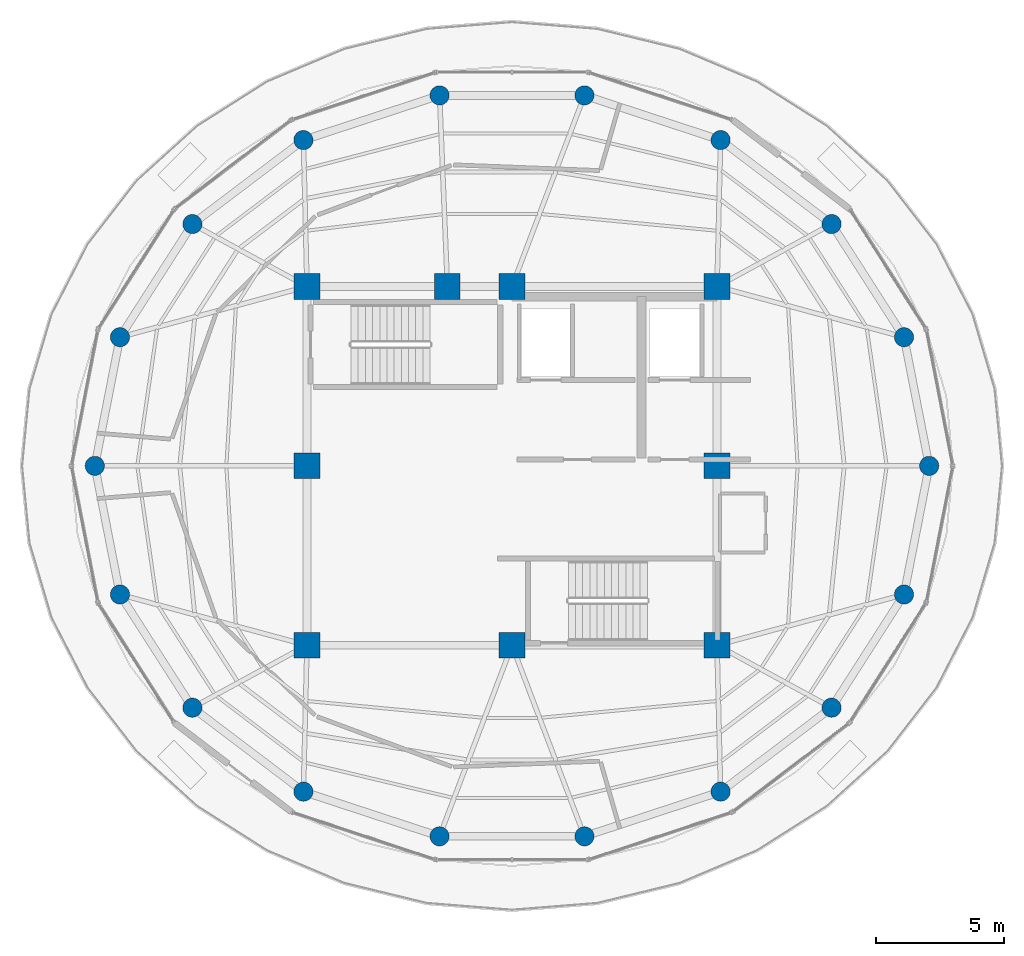
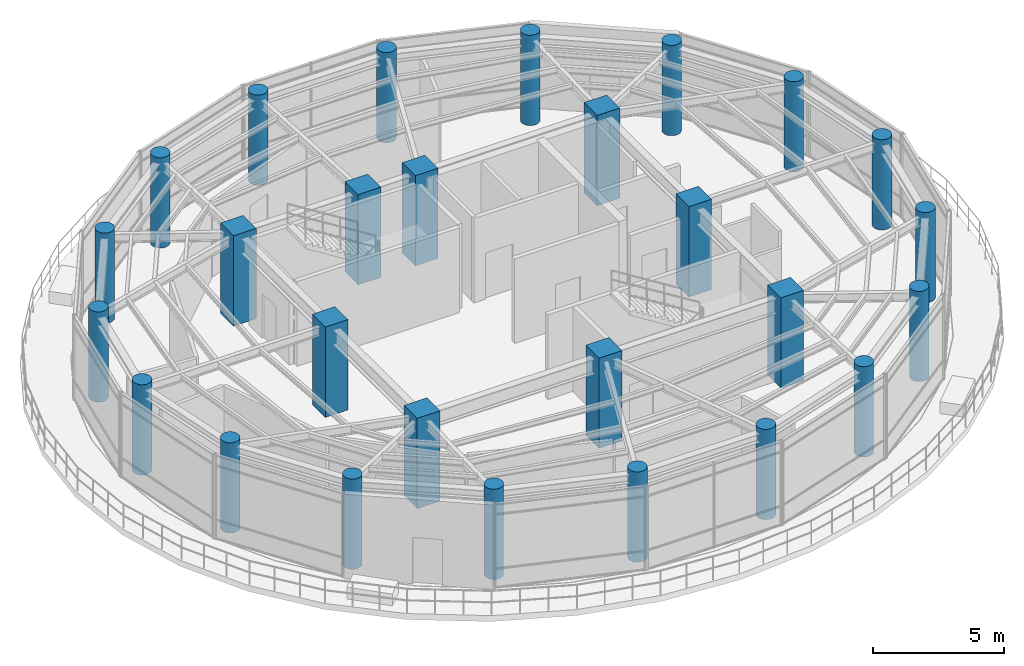
# One storey, part 1 of 20: 27 columns.
"""IFC4 building model written with IfcOpenShell, lengths in metres."""

from ifc_helpers import new_model, si_unit, direction, frame, origin, origin_2d, place, context, subcontext, project, spatial, rectangle, circle, extrude, material, material_profile, profile_set, type_object, element, save


model = new_model("IFC4")

# Units and contexts
model_context = context("Model", 3, precision=1e-05, world=origin(), true_north=direction((0.0, 1.0)))
body_context = subcontext(model_context, "Body", "Model", "MODEL_VIEW")
ifc_project = project(units=[si_unit("LENGTHUNIT", "METRE"), si_unit("AREAUNIT", "SQUARE_METRE"), si_unit("VOLUMEUNIT", "CUBIC_METRE"), si_unit("PLANEANGLEUNIT", "RADIAN"), si_unit("MASSUNIT", "GRAM", prefix="KILO")], contexts=[model_context])

# Site, building, storey
site_placement = place(None, origin())
site = spatial("IfcSite", under=ifc_project, at=site_placement, CompositionType="ELEMENT")
building_placement = place(site_placement, origin())
building = spatial("IfcBuilding", under=site, at=building_placement, Name="Kelanora Arch Commons", CompositionType="ELEMENT")
storey_placement = place(building_placement, frame((0.0, 0.0, 298.5)))
storey = spatial("IfcBuildingStorey", under=building, at=storey_placement, Name="L76", CompositionType="ELEMENT", Elevation=298.5)

# Columns
ifc_material = material(Name="Concrete C50/60", Category="concrete")
ifc_material_profile_1 = material_profile(ifc_material, circle(Radius=0.375, at=origin_2d()), Name="RCC750")
ifc_profile_set_1 = profile_set([ifc_material_profile_1], Name="Concrete C50/60")
column_type_1 = type_object("IfcColumnType", Name="COL-PERIM-Z6", PredefinedType="COLUMN", material=ifc_profile_set_1)
for number, where, z_axis, x_axis, name in (
    (1, (90.280029296875, 58.0, 0.0), (0.0, 0.0, 1.0), (1.0, 0.0, 0.0), "Perimeter Ring Column CP-00 L76"),
    (2, (89.298095703125, 63.02099609375, 0.0), (0.0, 0.0, 1.0), (1.0, 0.0, 0.0), "Perimeter Ring Column CP-02 L76"),
    (3, (86.47119140625, 67.43603515625, 0.0), (0.0, 0.0, 1.0), (1.0, 0.0, 0.0), "Perimeter Ring Column CP-04 L76"),
    (4, (82.139892578125, 70.71337890625, 0.0), (0.0, 0.0, 1.0), (1.0, 0.0, 0.0), "Perimeter Ring Column CP-06 L76"),
    (5, (76.826904296875, 72.45703125, 0.0), (0.0, 0.0, 1.0), (1.0, 0.0, 0.0), "Perimeter Ring Column CP-08 L76"),
    (6, (71.173095703125, 72.45703125, 0.0), (0.0, 0.0, 1.0), (1.0, 0.0, 0.0), "Perimeter Ring Column CP-10 L76"),
    (7, (65.860107421875, 70.71337890625, 0.0), (0.0, 0.0, 1.0), (1.0, 0.0, 0.0), "Perimeter Ring Column CP-12 L76"),
    (8, (61.52880859375, 67.43603515625, 0.0), (0.0, 0.0, 1.0), (1.0, 0.0, 0.0), "Perimeter Ring Column CP-14 L76"),
    (9, (58.701904296875, 63.02099609375, 0.0), (0.0, 0.0, 1.0), (1.0, 0.0, 0.0), "Perimeter Ring Column CP-16 L76"),
    (10, (57.719970703125, 58.0, 0.0), (0.0, 0.0, 1.0), (1.0, 0.0, 0.0), "Perimeter Ring Column CP-18 L76"),
    (11, (58.701904296875, 52.97900390625, 0.0), (0.0, 0.0, 1.0), (1.0, 0.0, 0.0), "Perimeter Ring Column CP-20 L76"),
    (12, (61.52880859375, 48.56396484375, 0.0), (0.0, 0.0, 1.0), (1.0, 0.0, 0.0), "Perimeter Ring Column CP-22 L76"),
    (13, (65.860107421875, 45.28662109375, 0.0), (0.0, 0.0, 1.0), (1.0, 0.0, 0.0), "Perimeter Ring Column CP-24 L76"),
    (14, (71.173095703125, 43.54296875, 0.0), (0.0, 0.0, 1.0), (1.0, 0.0, 0.0), "Perimeter Ring Column CP-26 L76"),
    (15, (76.826904296875, 43.54296875, 0.0), (0.0, 0.0, 1.0), (1.0, 0.0, 0.0), "Perimeter Ring Column CP-28 L76"),
    (16, (82.139892578125, 45.28662109375, 0.0), (0.0, 0.0, 1.0), (1.0, 0.0, 0.0), "Perimeter Ring Column CP-30 L76"),
    (17, (86.47119140625, 48.56396484375, 0.0), (0.0, 0.0, 1.0), (1.0, 0.0, 0.0), "Perimeter Ring Column CP-32 L76"),
    (18, (89.298095703125, 52.97900390625, 0.0), (0.0, 0.0, 1.0), (1.0, 0.0, 0.0), "Perimeter Ring Column CP-34 L76"),
):
    element("IfcColumn", number, at=place(storey_placement, frame(where, z_axis=z_axis, x_axis=x_axis)), inside=storey, type_object=column_type_1, Name=name, PredefinedType="COLUMN", context=body_context, shape_type="SweptSolid", body=[
        extrude(circle(Radius=0.375, at=origin_2d()), origin(), (0.0, 0.0, 1.0), 4.199951171875),
    ])
ifc_material_profile_2 = material_profile(ifc_material, rectangle(XDim=1.0, YDim=1.0, at=origin_2d()), Name="RC1000x1000")
ifc_profile_set_2 = profile_set([ifc_material_profile_2], Name="Concrete C50/60")
column_type_2 = type_object("IfcColumnType", Name="COL-PIL-HIGH", PredefinedType="PILASTER", material=ifc_profile_set_2)
for number, where, z_axis, x_axis, name in (
    (19, (66.0, 51.0, 0.0), (0.0, 0.0, 1.0), (1.0, 0.0, 0.0), "Core Pilaster Column CP1 L76"),
    (20, (74.0, 51.0, 0.0), (0.0, 0.0, 1.0), (1.0, 0.0, 0.0), "Core Pilaster Column CP2 L76"),
    (21, (82.0, 51.0, 0.0), (0.0, 0.0, 1.0), (1.0, 0.0, 0.0), "Core Pilaster Column CP3 L76"),
    (22, (82.0, 58.0, 0.0), (0.0, 0.0, 1.0), (1.0, 0.0, 0.0), "Core Pilaster Column CP4 L76"),
    (23, (82.0, 65.0, 0.0), (0.0, 0.0, 1.0), (1.0, 0.0, 0.0), "Core Pilaster Column CP5 L76"),
    (24, (74.0, 65.0, 0.0), (0.0, 0.0, 1.0), (1.0, 0.0, 0.0), "Core Pilaster Column CP6 L76"),
    (25, (71.47998046875, 65.0, 0.0), (0.0, 0.0, 1.0), (1.0, 0.0, 0.0), "Core Pilaster Column CP9 L76"),
    (26, (66.0, 65.0, 0.0), (0.0, 0.0, 1.0), (1.0, 0.0, 0.0), "Core Pilaster Column CP7 L76"),
    (27, (66.0, 58.0, 0.0), (0.0, 0.0, 1.0), (1.0, 0.0, 0.0), "Core Pilaster Column CP8 L76"),
):
    element("IfcColumn", number, at=place(storey_placement, frame(where, z_axis=z_axis, x_axis=x_axis)), inside=storey, type_object=column_type_2, Name=name, PredefinedType="PILASTER", context=body_context, shape_type="SweptSolid", body=[
        extrude(rectangle(XDim=1.0, YDim=1.0, at=origin_2d()), origin(), (0.0, 0.0, 1.0), 4.199951171875),
    ])

save(model, "model.ifc")
